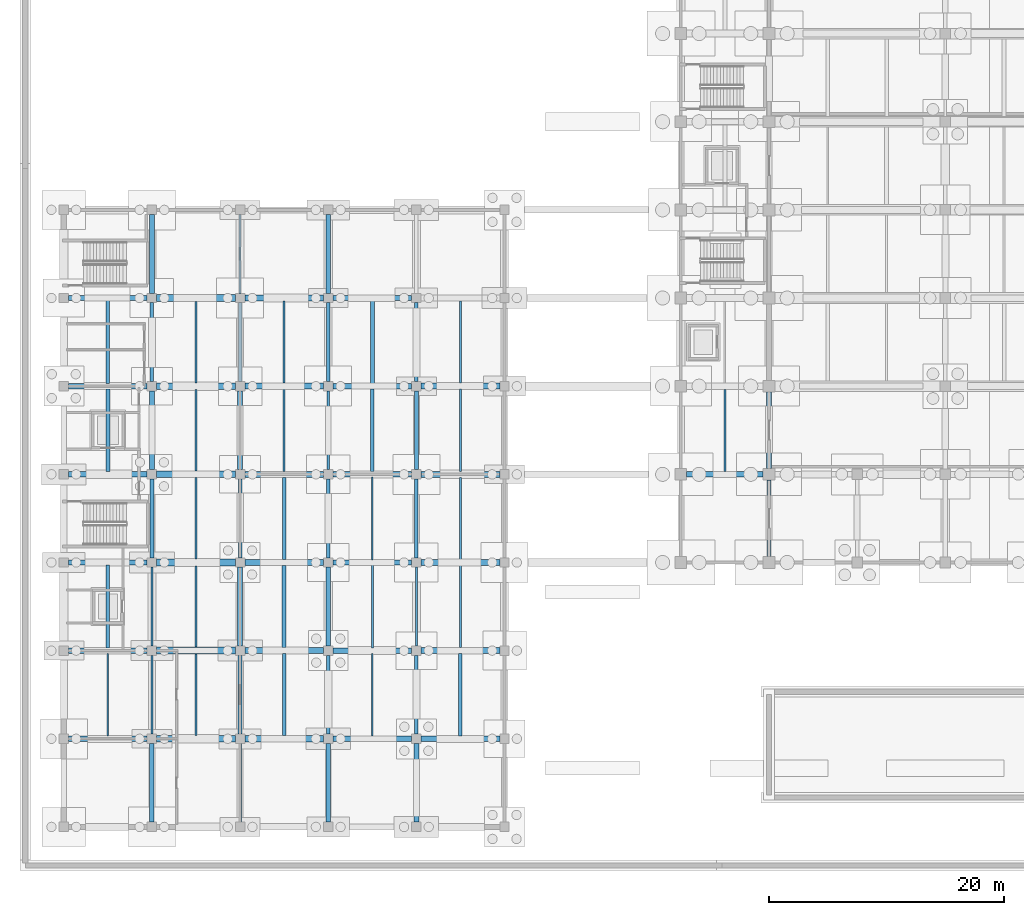
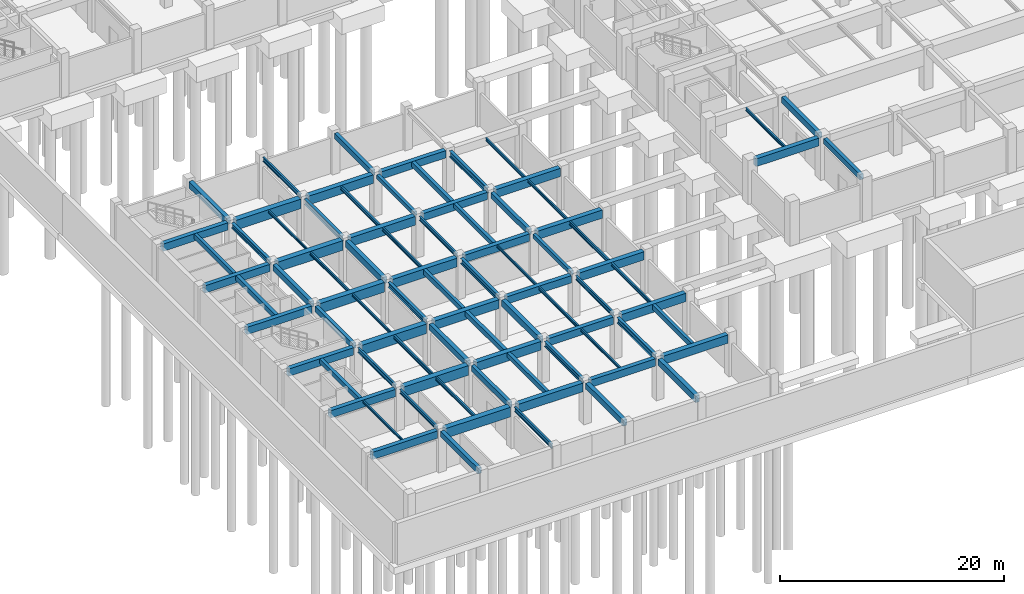
# One storey, part 15 of 38: 84 beams.
"""IFC4 building model written with IfcOpenShell, lengths in metres."""

from ifc_helpers import new_model, si_unit, direction, frame, origin, origin_2d, place, context, subcontext, project, spatial, rectangle, i_section, extrude, material, material_profile, profile_set, type_object, element, save


model = new_model("IFC4")

# Units and contexts
model_context = context("Model", 3, precision=1e-05, world=origin(), true_north=direction((0.0, 1.0)))
body_context = subcontext(model_context, "Body", "Model", "MODEL_VIEW")
ifc_project = project(units=[si_unit("LENGTHUNIT", "METRE"), si_unit("AREAUNIT", "SQUARE_METRE"), si_unit("VOLUMEUNIT", "CUBIC_METRE"), si_unit("PLANEANGLEUNIT", "RADIAN"), si_unit("MASSUNIT", "GRAM", prefix="KILO")], contexts=[model_context])

# Site, building, storey
site_placement = place(None, origin())
site = spatial("IfcSite", under=ifc_project, at=site_placement, CompositionType="ELEMENT")
building_placement = place(site_placement, origin())
building = spatial("IfcBuilding", under=site, at=building_placement, Name="Qasida Concert Hall", CompositionType="ELEMENT")
storey_placement = place(building_placement, frame((0.0, 0.0, -4.800048828125)))
storey = spatial("IfcBuildingStorey", under=building, at=storey_placement, Name="B1", CompositionType="ELEMENT", Elevation=-4.800048828125)

# Beams
ifc_material_1 = material(Name="Concrete C40/50", Category="concrete")
ifc_material_profile_1 = material_profile(ifc_material_1, rectangle(XDim=0.39990234375, YDim=0.64990234375, at=origin_2d()), Name="RC 400x650")
ifc_profile_set_1 = profile_set([ifc_material_profile_1], Name="Concrete C40/50")
beam_type_1 = type_object("IfcBeamType", Name="BM-B1", PredefinedType="BEAM", material=ifc_profile_set_1)
beam_1_placement = place(storey_placement, frame((60.0, 30.5, 4.175048828125), z_axis=(0.0, 1.0, 0.0), x_axis=(-1.0, 0.0, 0.0)))
element("IfcBeam", 1, at=beam_1_placement, inside=storey, type_object=beam_type_1, Name="B1 girder 0041", PredefinedType="BEAM", context=body_context, shape_type="SweptSolid", body=[
    extrude(rectangle(XDim=0.39990234375, YDim=0.64990234375, at=origin_2d()), origin(), (0.0, 0.0, 1.0), 6.5),
])
for number, where, z_axis, x_axis, name in (
    (2, (7.5, 30.39990234375, 4.175048828125), (0.0, 1.0, 0.0), (-1.0, 0.0, 0.0), "B1 girder 0181"),
    (3, (15.0, 15.39990234375, 4.175048828125), (0.0, 1.0, 0.0), (-1.0, 0.0, 0.0), "B1 girder 0186"),
    (4, (22.5, 0.39990234375, 4.175048828125), (0.0, 1.0, 0.0), (-1.0, 0.0, 0.0), "B1 girder 0191"),
):
    element("IfcBeam", number, at=place(storey_placement, frame(where, z_axis=z_axis, x_axis=x_axis)), inside=storey, type_object=beam_type_1, Name=name, PredefinedType="BEAM", context=body_context, shape_type="SweptSolid", body=[
        extrude(rectangle(XDim=0.39990234375, YDim=0.64990234375, at=origin_2d()), origin(), (0.0, 0.0, 1.0), 6.7001953125),
    ])
ifc_material_profile_2 = material_profile(ifc_material_1, rectangle(XDim=0.3798828125, YDim=0.6201171875, at=origin_2d()), Name="RC 380x620")
ifc_profile_set_2 = profile_set([ifc_material_profile_2], Name="Concrete C40/50")
beam_type_2 = type_object("IfcBeamType", Name="BM-B10", PredefinedType="BEAM", material=ifc_profile_set_2)
beam_2_placement = place(storey_placement, frame((7.5, 0.39990234375, 4.18994140625), z_axis=(0.0, 1.0, 0.0), x_axis=(-1.0, 0.0, 0.0)))
element("IfcBeam", 5, at=beam_2_placement, inside=storey, type_object=beam_type_2, Name="B1 girder 0177", PredefinedType="BEAM", context=body_context, shape_type="SweptSolid", body=[
    extrude(rectangle(XDim=0.3798828125, YDim=0.6201171875, at=origin_2d()), origin(), (0.0, 0.0, 1.0), 6.7001953125),
])
ifc_material_profile_3 = material_profile(ifc_material_1, rectangle(XDim=0.419921875, YDim=0.699951171875, at=origin_2d()), Name="RC 420x700")
ifc_profile_set_3 = profile_set([ifc_material_profile_3], Name="Concrete C40/50")
beam_type_3 = type_object("IfcBeamType", Name="BM-B11", PredefinedType="BEAM", material=ifc_profile_set_3)
for number, where, z_axis, x_axis, name in (
    (6, (7.5, 45.39990234375, 4.150146484375), (0.0, 1.0, 0.0), (-1.0, 0.0, 0.0), "B1 girder 0183"),
    (7, (15.0, 30.39990234375, 4.150146484375), (0.0, 1.0, 0.0), (-1.0, 0.0, 0.0), "B1 girder 0188"),
    (8, (22.5, 15.39990234375, 4.150146484375), (0.0, 1.0, 0.0), (-1.0, 0.0, 0.0), "B1 girder 0193"),
    (9, (30.0, 0.39990234375, 4.150146484375), (0.0, 1.0, 0.0), (-1.0, 0.0, 0.0), "B1 girder 0198"),
):
    element("IfcBeam", number, at=place(storey_placement, frame(where, z_axis=z_axis, x_axis=x_axis)), inside=storey, type_object=beam_type_3, Name=name, PredefinedType="BEAM", context=body_context, shape_type="SweptSolid", body=[
        extrude(rectangle(XDim=0.419921875, YDim=0.699951171875, at=origin_2d()), origin(), (0.0, 0.0, 1.0), 6.7001953125),
    ])
ifc_material_2 = material(Name="Steel S355J2", Category="steel")
ifc_material_profile_4 = material_profile(ifc_material_2, i_section(OverallWidth=0.300048828125, OverallDepth=0.550048828125, WebThickness=0.014892578125, FlangeThickness=0.029052734375, FilletRadius=0.027099609375, at=origin_2d()), Name="HEB 550")
ifc_profile_set_4 = profile_set([ifc_material_profile_4], Name="Steel S355J2")
beam_type_4 = type_object("IfcBeamType", Name="BM-B12", PredefinedType="BEAM", material=ifc_profile_set_4)
for number, where, z_axis, x_axis, name in (
    (10, (7.5, 37.89990234375, 4.22509765625), (0.0, 1.0, 0.0), (-1.0, 0.0, 0.0), "B1 girder 0182"),
    (11, (15.0, 22.89990234375, 4.22509765625), (0.0, 1.0, 0.0), (-1.0, 0.0, 0.0), "B1 girder 0187"),
    (12, (22.5, 7.89990234375, 4.22509765625), (0.0, 1.0, 0.0), (-1.0, 0.0, 0.0), "B1 girder 0192"),
):
    element("IfcBeam", number, at=place(storey_placement, frame(where, z_axis=z_axis, x_axis=x_axis)), inside=storey, type_object=beam_type_4, Name=name, PredefinedType="BEAM", context=body_context, shape_type="SweptSolid", body=[
        extrude(i_section(OverallWidth=0.300048828125, OverallDepth=0.550048828125, WebThickness=0.014892578125, FlangeThickness=0.029052734375, FilletRadius=0.027099609375, at=origin_2d()), origin(), (0.0, 0.0, 1.0), 6.7001953125),
    ])
ifc_material_profile_5 = material_profile(ifc_material_2, i_section(OverallWidth=0.300048828125, OverallDepth=0.64990234375, WebThickness=0.01611328125, FlangeThickness=0.031005859375, FilletRadius=0.027099609375, at=origin_2d()), Name="HEB 650")
ifc_profile_set_5 = profile_set([ifc_material_profile_5], Name="Steel S355J2")
beam_type_5 = type_object("IfcBeamType", Name="BM-B13", PredefinedType="BEAM", material=ifc_profile_set_5)
beam_3_placement = place(storey_placement, frame((30.0, 37.89990234375, 4.175048828125), z_axis=(0.0, 1.0, 0.0), x_axis=(-1.0, 0.0, 0.0)))
element("IfcBeam", 13, at=beam_3_placement, inside=storey, type_object=beam_type_5, Name="B1 girder 0203", PredefinedType="BEAM", context=body_context, shape_type="SweptSolid", body=[
    extrude(i_section(OverallWidth=0.300048828125, OverallDepth=0.64990234375, WebThickness=0.01611328125, FlangeThickness=0.031005859375, FilletRadius=0.027099609375, at=origin_2d()), origin(), (0.0, 0.0, 1.0), 6.7001953125),
])
ifc_material_profile_6 = material_profile(ifc_material_1, rectangle(XDim=0.35009765625, YDim=0.60009765625, at=origin_2d()), Name="RC 350x600")
ifc_profile_set_6 = profile_set([ifc_material_profile_6], Name="Concrete C40/50")
beam_type_6 = type_object("IfcBeamType", Name="BM-B2", PredefinedType="BEAM", material=ifc_profile_set_6)
beam_4_placement = place(storey_placement, frame((60.0, 23.0, 4.199951171875), z_axis=(0.0, 1.0, 0.0), x_axis=(-1.0, 0.0, 0.0)))
element("IfcBeam", 14, at=beam_4_placement, inside=storey, type_object=beam_type_6, Name="B1 girder 0040", PredefinedType="BEAM", context=body_context, shape_type="SweptSolid", body=[
    extrude(rectangle(XDim=0.35009765625, YDim=0.60009765625, at=origin_2d()), origin(), (0.0, 0.0, 1.0), 6.5),
])
for number, where, z_axis, x_axis, name in (
    (15, (7.5, 22.89990234375, 4.199951171875), (0.0, 1.0, 0.0), (-1.0, 0.0, 0.0), "B1 girder 0180"),
    (16, (15.0, 7.89990234375, 4.199951171875), (0.0, 1.0, 0.0), (-1.0, 0.0, 0.0), "B1 girder 0185"),
    (17, (22.5, 45.39990234375, 4.199951171875), (0.0, 1.0, 0.0), (-1.0, 0.0, 0.0), "B1 girder 0197"),
    (18, (30.0, 30.39990234375, 4.199951171875), (0.0, 1.0, 0.0), (-1.0, 0.0, 0.0), "B1 girder 0202"),
):
    element("IfcBeam", number, at=place(storey_placement, frame(where, z_axis=z_axis, x_axis=x_axis)), inside=storey, type_object=beam_type_6, Name=name, PredefinedType="BEAM", context=body_context, shape_type="SweptSolid", body=[
        extrude(rectangle(XDim=0.35009765625, YDim=0.60009765625, at=origin_2d()), origin(), (0.0, 0.0, 1.0), 6.7001953125),
    ])
ifc_material_profile_7 = material_profile(ifc_material_1, rectangle(XDim=0.300048828125, YDim=0.449951171875, at=origin_2d()), Name="RC 300x450")
ifc_profile_set_7 = profile_set([ifc_material_profile_7], Name="Concrete C40/50")
beam_type_7 = type_object("IfcBeamType", Name="BM-B3", PredefinedType="BEAM", material=ifc_profile_set_7)
for number, where, z_axis, x_axis, name in (
    (19, (22.5, 37.89990234375, 4.275146484375), (0.0, 1.0, 0.0), (-1.0, 0.0, 0.0), "B1 girder 0196"),
    (20, (30.0, 22.89990234375, 4.275146484375), (0.0, 1.0, 0.0), (-1.0, 0.0, 0.0), "B1 girder 0201"),
):
    element("IfcBeam", number, at=place(storey_placement, frame(where, z_axis=z_axis, x_axis=x_axis)), inside=storey, type_object=beam_type_7, Name=name, PredefinedType="BEAM", context=body_context, shape_type="SweptSolid", body=[
        extrude(rectangle(XDim=0.300048828125, YDim=0.449951171875, at=origin_2d()), origin(), (0.0, 0.0, 1.0), 6.7001953125),
    ])
ifc_material_profile_8 = material_profile(ifc_material_2, i_section(OverallWidth=0.199951171875, OverallDepth=0.5, WebThickness=0.01025390625, FlangeThickness=0.01611328125, FilletRadius=0.02099609375, at=origin_2d()), Name="IPE 500")
ifc_profile_set_8 = profile_set([ifc_material_profile_8], Name="Steel S355J2")
beam_type_8 = type_object("IfcBeamType", Name="BM-B4", PredefinedType="BEAM", material=ifc_profile_set_8)
for number, where, z_axis, x_axis, name in (
    (21, (7.5, 15.39990234375, 4.25), (0.0, 1.0, 0.0), (-1.0, 0.0, 0.0), "B1 girder 0179"),
    (22, (15.0, 0.39990234375, 4.25), (0.0, 1.0, 0.0), (-1.0, 0.0, 0.0), "B1 girder 0184"),
):
    element("IfcBeam", number, at=place(storey_placement, frame(where, z_axis=z_axis, x_axis=x_axis)), inside=storey, type_object=beam_type_8, Name=name, PredefinedType="BEAM", context=body_context, shape_type="SweptSolid", body=[
        extrude(i_section(OverallWidth=0.199951171875, OverallDepth=0.5, WebThickness=0.01025390625, FlangeThickness=0.01611328125, FilletRadius=0.02099609375, at=origin_2d()), origin(), (0.0, 0.0, 1.0), 6.7001953125),
    ])
ifc_material_profile_9 = material_profile(ifc_material_2, i_section(OverallWidth=0.18994140625, OverallDepth=0.449951171875, WebThickness=0.009521484375, FlangeThickness=0.0146484375, FilletRadius=0.02099609375, at=origin_2d()), Name="IPE 450")
ifc_profile_set_9 = profile_set([ifc_material_profile_9], Name="Steel S355J2")
beam_type_9 = type_object("IfcBeamType", Name="BM-B5", PredefinedType="BEAM", material=ifc_profile_set_9)
for number, where, z_axis, x_axis, name in (
    (23, (7.5, 7.89990234375, 4.275146484375), (0.0, 1.0, 0.0), (-1.0, 0.0, 0.0), "B1 girder 0178"),
    (24, (15.0, 45.39990234375, 4.275146484375), (0.0, 1.0, 0.0), (-1.0, 0.0, 0.0), "B1 girder 0190"),
    (25, (22.5, 30.39990234375, 4.275146484375), (0.0, 1.0, 0.0), (-1.0, 0.0, 0.0), "B1 girder 0195"),
    (26, (30.0, 15.39990234375, 4.275146484375), (0.0, 1.0, 0.0), (-1.0, 0.0, 0.0), "B1 girder 0200"),
):
    element("IfcBeam", number, at=place(storey_placement, frame(where, z_axis=z_axis, x_axis=x_axis)), inside=storey, type_object=beam_type_9, Name=name, PredefinedType="BEAM", context=body_context, shape_type="SweptSolid", body=[
        extrude(i_section(OverallWidth=0.18994140625, OverallDepth=0.449951171875, WebThickness=0.009521484375, FlangeThickness=0.0146484375, FilletRadius=0.02099609375, at=origin_2d()), origin(), (0.0, 0.0, 1.0), 6.7001953125),
    ])
ifc_material_profile_10 = material_profile(ifc_material_2, i_section(OverallWidth=0.300048828125, OverallDepth=0.60009765625, WebThickness=0.015380859375, FlangeThickness=0.030029296875, FilletRadius=0.027099609375, at=origin_2d()), Name="HEB 600")
ifc_profile_set_10 = profile_set([ifc_material_profile_10], Name="Steel S355J2")
beam_type_10 = type_object("IfcBeamType", Name="BM-B6", PredefinedType="BEAM", material=ifc_profile_set_10)
for number, where, z_axis, x_axis, name in (
    (27, (15.0, 37.89990234375, 4.199951171875), (0.0, 1.0, 0.0), (-1.0, 0.0, 0.0), "B1 girder 0189"),
    (28, (22.5, 22.89990234375, 4.199951171875), (0.0, 1.0, 0.0), (-1.0, 0.0, 0.0), "B1 girder 0194"),
    (29, (30.0, 7.89990234375, 4.199951171875), (0.0, 1.0, 0.0), (-1.0, 0.0, 0.0), "B1 girder 0199"),
):
    element("IfcBeam", number, at=place(storey_placement, frame(where, z_axis=z_axis, x_axis=x_axis)), inside=storey, type_object=beam_type_10, Name=name, PredefinedType="BEAM", context=body_context, shape_type="SweptSolid", body=[
        extrude(i_section(OverallWidth=0.300048828125, OverallDepth=0.60009765625, WebThickness=0.015380859375, FlangeThickness=0.030029296875, FilletRadius=0.027099609375, at=origin_2d()), origin(), (0.0, 0.0, 1.0), 6.7001953125),
    ])
ifc_material_profile_11 = material_profile(ifc_material_1, rectangle(XDim=0.5, YDim=0.89990234375, at=origin_2d()), Name="RC 500x900")
ifc_profile_set_11 = profile_set([ifc_material_profile_11], Name="Concrete C40/50")
beam_type_11 = type_object("IfcBeamType", Name="BM-G1", PredefinedType="USERDEFINED", material=ifc_profile_set_11)
for number, where, z_axis, x_axis, name in (
    (30, (30.39990234375, 7.5, 4.050048828125), (1.0, 0.0, 0.0), (0.0, 1.0, 0.0), "Primary girder 0151"),
    (31, (30.39990234375, 15.0, 4.050048828125), (1.0, 0.0, 0.0), (0.0, 1.0, 0.0), "Primary girder 0156"),
    (32, (30.39990234375, 22.5, 4.050048828125), (1.0, 0.0, 0.0), (0.0, 1.0, 0.0), "Primary girder 0161"),
    (33, (30.39990234375, 30.0, 4.050048828125), (1.0, 0.0, 0.0), (0.0, 1.0, 0.0), "Primary girder 0166"),
    (34, (30.39990234375, 37.5, 4.050048828125), (1.0, 0.0, 0.0), (0.0, 1.0, 0.0), "Primary girder 0171"),
):
    element("IfcBeam", number, at=place(storey_placement, frame(where, z_axis=z_axis, x_axis=x_axis)), inside=storey, type_object=beam_type_11, Name=name, ObjectType="GIRDER", PredefinedType="USERDEFINED", context=body_context, shape_type="SweptSolid", body=[
        extrude(rectangle(XDim=0.5, YDim=0.89990234375, at=origin_2d()), origin(), (0.0, 0.0, 1.0), 6.7001953125),
    ])
ifc_material_profile_12 = material_profile(ifc_material_1, rectangle(XDim=0.449951171875, YDim=0.800048828125, at=origin_2d()), Name="RC 450x800")
ifc_profile_set_12 = profile_set([ifc_material_profile_12], Name="Concrete C40/50")
beam_type_12 = type_object("IfcBeamType", Name="BM-G2", PredefinedType="USERDEFINED", material=ifc_profile_set_12)
for number, where, z_axis, x_axis, name in (
    (35, (0.39990234375, 7.5, 4.10009765625), (1.0, 0.0, 0.0), (0.0, 1.0, 0.0), "Primary girder 0147"),
    (36, (22.89990234375, 7.5, 4.10009765625), (1.0, 0.0, 0.0), (0.0, 1.0, 0.0), "Primary girder 0150"),
    (37, (0.39990234375, 15.0, 4.10009765625), (1.0, 0.0, 0.0), (0.0, 1.0, 0.0), "Primary girder 0152"),
    (38, (22.89990234375, 15.0, 4.10009765625), (1.0, 0.0, 0.0), (0.0, 1.0, 0.0), "Primary girder 0155"),
    (39, (0.39990234375, 22.5, 4.10009765625), (1.0, 0.0, 0.0), (0.0, 1.0, 0.0), "Primary girder 0157"),
    (40, (22.89990234375, 22.5, 4.10009765625), (1.0, 0.0, 0.0), (0.0, 1.0, 0.0), "Primary girder 0160"),
    (41, (0.39990234375, 30.0, 4.10009765625), (1.0, 0.0, 0.0), (0.0, 1.0, 0.0), "Primary girder 0162"),
    (42, (22.89990234375, 30.0, 4.10009765625), (1.0, 0.0, 0.0), (0.0, 1.0, 0.0), "Primary girder 0165"),
    (43, (0.39990234375, 37.5, 4.10009765625), (1.0, 0.0, 0.0), (0.0, 1.0, 0.0), "Primary girder 0167"),
    (44, (22.89990234375, 37.5, 4.10009765625), (1.0, 0.0, 0.0), (0.0, 1.0, 0.0), "Primary girder 0170"),
    (45, (0.39990234375, 45.0, 4.10009765625), (1.0, 0.0, 0.0), (0.0, 1.0, 0.0), "Primary girder 0172"),
    (46, (22.89990234375, 45.0, 4.10009765625), (1.0, 0.0, 0.0), (0.0, 1.0, 0.0), "Primary girder 0175"),
):
    element("IfcBeam", number, at=place(storey_placement, frame(where, z_axis=z_axis, x_axis=x_axis)), inside=storey, type_object=beam_type_12, Name=name, ObjectType="GIRDER", PredefinedType="USERDEFINED", context=body_context, shape_type="SweptSolid", body=[
        extrude(rectangle(XDim=0.449951171875, YDim=0.800048828125, at=origin_2d()), origin(), (0.0, 0.0, 1.0), 6.7001953125),
    ])
ifc_material_profile_13 = material_profile(ifc_material_1, rectangle(XDim=0.47998046875, YDim=0.85009765625, at=origin_2d()), Name="RC 480x850")
ifc_profile_set_13 = profile_set([ifc_material_profile_13], Name="Concrete C40/50")
beam_type_13 = type_object("IfcBeamType", Name="BM-G6", PredefinedType="USERDEFINED", material=ifc_profile_set_13)
beam_5_placement = place(storey_placement, frame((53.0, 30.0, 4.074951171875), z_axis=(1.0, 0.0, 0.0), x_axis=(0.0, 1.0, 0.0)))
element("IfcBeam", 47, at=beam_5_placement, inside=storey, type_object=beam_type_13, Name="Primary girder 0001", ObjectType="GIRDER", PredefinedType="USERDEFINED", context=body_context, shape_type="SweptSolid", body=[
    extrude(rectangle(XDim=0.47998046875, YDim=0.85009765625, at=origin_2d()), origin(), (0.0, 0.0, 1.0), 6.5),
])
ifc_material_profile_14 = material_profile(ifc_material_1, rectangle(XDim=0.52001953125, YDim=0.949951171875, at=origin_2d()), Name="RC 520x950")
ifc_profile_set_14 = profile_set([ifc_material_profile_14], Name="Concrete C40/50")
beam_type_14 = type_object("IfcBeamType", Name="BM-G7", PredefinedType="USERDEFINED", material=ifc_profile_set_14)
for number, where, z_axis, x_axis, name in (
    (48, (15.39990234375, 7.5, 4.025146484375), (1.0, 0.0, 0.0), (0.0, 1.0, 0.0), "Primary girder 0149"),
    (49, (15.39990234375, 15.0, 4.025146484375), (1.0, 0.0, 0.0), (0.0, 1.0, 0.0), "Primary girder 0154"),
    (50, (15.39990234375, 22.5, 4.025146484375), (1.0, 0.0, 0.0), (0.0, 1.0, 0.0), "Primary girder 0159"),
    (51, (15.39990234375, 30.0, 4.025146484375), (1.0, 0.0, 0.0), (0.0, 1.0, 0.0), "Primary girder 0164"),
    (52, (15.39990234375, 37.5, 4.025146484375), (1.0, 0.0, 0.0), (0.0, 1.0, 0.0), "Primary girder 0169"),
    (53, (15.39990234375, 45.0, 4.025146484375), (1.0, 0.0, 0.0), (0.0, 1.0, 0.0), "Primary girder 0174"),
):
    element("IfcBeam", number, at=place(storey_placement, frame(where, z_axis=z_axis, x_axis=x_axis)), inside=storey, type_object=beam_type_14, Name=name, ObjectType="GIRDER", PredefinedType="USERDEFINED", context=body_context, shape_type="SweptSolid", body=[
        extrude(rectangle(XDim=0.52001953125, YDim=0.949951171875, at=origin_2d()), origin(), (0.0, 0.0, 1.0), 6.7001953125),
    ])
ifc_material_3 = material(Name="Concrete C50/60", Category="concrete")
ifc_material_profile_15 = material_profile(ifc_material_3, rectangle(XDim=0.580078125, YDim=1.050048828125, at=origin_2d()), Name="RC 580x1050")
ifc_profile_set_15 = profile_set([ifc_material_profile_15], Name="Concrete C50/60")
beam_type_15 = type_object("IfcBeamType", Name="BM-G8", PredefinedType="USERDEFINED", material=ifc_profile_set_15)
for number, where, z_axis, x_axis, name in (
    (54, (7.89990234375, 7.5, 3.97509765625), (1.0, 0.0, 0.0), (0.0, 1.0, 0.0), "Primary girder 0148"),
    (55, (7.89990234375, 15.0, 3.97509765625), (1.0, 0.0, 0.0), (0.0, 1.0, 0.0), "Primary girder 0153"),
    (56, (7.89990234375, 22.5, 3.97509765625), (1.0, 0.0, 0.0), (0.0, 1.0, 0.0), "Primary girder 0158"),
    (57, (7.89990234375, 30.0, 3.97509765625), (1.0, 0.0, 0.0), (0.0, 1.0, 0.0), "Primary girder 0163"),
    (58, (7.89990234375, 37.5, 3.97509765625), (1.0, 0.0, 0.0), (0.0, 1.0, 0.0), "Primary girder 0168"),
    (59, (7.89990234375, 45.0, 3.97509765625), (1.0, 0.0, 0.0), (0.0, 1.0, 0.0), "Primary girder 0173"),
):
    element("IfcBeam", number, at=place(storey_placement, frame(where, z_axis=z_axis, x_axis=x_axis)), inside=storey, type_object=beam_type_15, Name=name, ObjectType="GIRDER", PredefinedType="USERDEFINED", context=body_context, shape_type="SweptSolid", body=[
        extrude(rectangle(XDim=0.580078125, YDim=1.050048828125, at=origin_2d()), origin(), (0.0, 0.0, 1.0), 6.7001953125),
    ])
ifc_material_profile_16 = material_profile(ifc_material_1, rectangle(XDim=0.300048828125, YDim=0.550048828125, at=origin_2d()), Name="RC 300x550")
ifc_profile_set_16 = profile_set([ifc_material_profile_16], Name="Concrete C40/50")
beam_type_16 = type_object("IfcBeamType", Name="BM-J1", PredefinedType="JOIST", material=ifc_profile_set_16)
beam_6_placement = place(storey_placement, frame((3.75, 37.72509765625, 4.22509765625), z_axis=(0.0, 1.0, 0.0), x_axis=(-1.0, 0.0, 0.0)))
element("IfcBeam", 60, at=beam_6_placement, inside=storey, type_object=beam_type_16, Name="B1 secondary joist 0208", PredefinedType="JOIST", context=body_context, shape_type="SweptSolid", body=[
    extrude(rectangle(XDim=0.300048828125, YDim=0.550048828125, at=origin_2d()), origin(), (0.0, 0.0, 1.0), 7.0498046875),
])
beam_7_placement = place(storey_placement, frame((18.75, 22.760009765625, 4.22509765625), z_axis=(0.0, 1.0, 0.0), x_axis=(-1.0, 0.0, 0.0)))
element("IfcBeam", 61, at=beam_7_placement, inside=storey, type_object=beam_type_16, Name="B1 secondary joist 0216", PredefinedType="JOIST", context=body_context, shape_type="SweptSolid", body=[
    extrude(rectangle(XDim=0.300048828125, YDim=0.550048828125, at=origin_2d()), origin(), (0.0, 0.0, 1.0), 6.97998046875),
])
beam_8_placement = place(storey_placement, frame((33.75, 7.75, 4.22509765625), z_axis=(0.0, 1.0, 0.0), x_axis=(-1.0, 0.0, 0.0)))
element("IfcBeam", 62, at=beam_8_placement, inside=storey, type_object=beam_type_16, Name="B1 secondary joist 0224", PredefinedType="JOIST", context=body_context, shape_type="SweptSolid", body=[
    extrude(rectangle(XDim=0.300048828125, YDim=0.550048828125, at=origin_2d()), origin(), (0.0, 0.0, 1.0), 7.0),
])
ifc_material_profile_17 = material_profile(ifc_material_2, i_section(OverallWidth=0.169921875, OverallDepth=0.360107421875, WebThickness=0.008056640625, FlangeThickness=0.0126953125, FilletRadius=0.01806640625, at=origin_2d()), Name="IPE 360")
ifc_profile_set_17 = profile_set([ifc_material_profile_17], Name="Steel S355J2")
beam_type_17 = type_object("IfcBeamType", Name="BM-J2", PredefinedType="JOIST", material=ifc_profile_set_17)
beam_9_placement = place(storey_placement, frame((11.25, 7.7900390625, 4.320068359375), z_axis=(0.0, 1.0, 0.0), x_axis=(-1.0, 0.0, 0.0)))
element("IfcBeam", 63, at=beam_9_placement, inside=storey, type_object=beam_type_17, Name="B1 secondary joist 0209", PredefinedType="JOIST", context=body_context, shape_type="SweptSolid", body=[
    extrude(i_section(OverallWidth=0.169921875, OverallDepth=0.360107421875, WebThickness=0.008056640625, FlangeThickness=0.0126953125, FilletRadius=0.01806640625, at=origin_2d()), origin(), (0.0, 0.0, 1.0), 6.919921875),
])
beam_10_placement = place(storey_placement, frame((18.75, 30.260009765625, 4.320068359375), z_axis=(0.0, 1.0, 0.0), x_axis=(-1.0, 0.0, 0.0)))
element("IfcBeam", 64, at=beam_10_placement, inside=storey, type_object=beam_type_17, Name="B1 secondary joist 0217", PredefinedType="JOIST", context=body_context, shape_type="SweptSolid", body=[
    extrude(i_section(OverallWidth=0.169921875, OverallDepth=0.360107421875, WebThickness=0.008056640625, FlangeThickness=0.0126953125, FilletRadius=0.01806640625, at=origin_2d()), origin(), (0.0, 0.0, 1.0), 6.97998046875),
])
beam_11_placement = place(storey_placement, frame((33.75, 15.25, 4.320068359375), z_axis=(0.0, 1.0, 0.0), x_axis=(-1.0, 0.0, 0.0)))
element("IfcBeam", 65, at=beam_11_placement, inside=storey, type_object=beam_type_17, Name="B1 secondary joist 0225", PredefinedType="JOIST", context=body_context, shape_type="SweptSolid", body=[
    extrude(i_section(OverallWidth=0.169921875, OverallDepth=0.360107421875, WebThickness=0.008056640625, FlangeThickness=0.0126953125, FilletRadius=0.01806640625, at=origin_2d()), origin(), (0.0, 0.0, 1.0), 7.0),
])
ifc_material_profile_18 = material_profile(ifc_material_2, i_section(OverallWidth=0.179931640625, OverallDepth=0.39990234375, WebThickness=0.008544921875, FlangeThickness=0.013427734375, FilletRadius=0.02099609375, at=origin_2d()), Name="IPE 400")
ifc_profile_set_18 = profile_set([ifc_material_profile_18], Name="Steel S355J2")
beam_type_18 = type_object("IfcBeamType", Name="BM-J3", PredefinedType="JOIST", material=ifc_profile_set_18)
beam_12_placement = place(storey_placement, frame((11.25, 15.2900390625, 4.300048828125), z_axis=(0.0, 1.0, 0.0), x_axis=(-1.0, 0.0, 0.0)))
element("IfcBeam", 66, at=beam_12_placement, inside=storey, type_object=beam_type_18, Name="B1 secondary joist 0210", PredefinedType="JOIST", context=body_context, shape_type="SweptSolid", body=[
    extrude(i_section(OverallWidth=0.179931640625, OverallDepth=0.39990234375, WebThickness=0.008544921875, FlangeThickness=0.013427734375, FilletRadius=0.02099609375, at=origin_2d()), origin(), (0.0, 0.0, 1.0), 6.919921875),
])
beam_13_placement = place(storey_placement, frame((18.75, 37.760009765625, 4.300048828125), z_axis=(0.0, 1.0, 0.0), x_axis=(-1.0, 0.0, 0.0)))
element("IfcBeam", 67, at=beam_13_placement, inside=storey, type_object=beam_type_18, Name="B1 secondary joist 0218", PredefinedType="JOIST", context=body_context, shape_type="SweptSolid", body=[
    extrude(i_section(OverallWidth=0.179931640625, OverallDepth=0.39990234375, WebThickness=0.008544921875, FlangeThickness=0.013427734375, FilletRadius=0.02099609375, at=origin_2d()), origin(), (0.0, 0.0, 1.0), 6.97998046875),
])
beam_14_placement = place(storey_placement, frame((33.75, 22.75, 4.300048828125), z_axis=(0.0, 1.0, 0.0), x_axis=(-1.0, 0.0, 0.0)))
element("IfcBeam", 68, at=beam_14_placement, inside=storey, type_object=beam_type_18, Name="B1 secondary joist 0226", PredefinedType="JOIST", context=body_context, shape_type="SweptSolid", body=[
    extrude(i_section(OverallWidth=0.179931640625, OverallDepth=0.39990234375, WebThickness=0.008544921875, FlangeThickness=0.013427734375, FilletRadius=0.02099609375, at=origin_2d()), origin(), (0.0, 0.0, 1.0), 7.0),
])
ifc_material_profile_19 = material_profile(ifc_material_2, i_section(OverallWidth=0.14990234375, OverallDepth=0.300048828125, WebThickness=0.007080078125, FlangeThickness=0.0107421875, FilletRadius=0.014892578125, at=origin_2d()), Name="IPE 300")
ifc_profile_set_19 = profile_set([ifc_material_profile_19], Name="Steel S355J2")
beam_type_19 = type_object("IfcBeamType", Name="BM-J4", PredefinedType="JOIST", material=ifc_profile_set_19)
beam_15_placement = place(storey_placement, frame((11.25, 22.7900390625, 4.35009765625), z_axis=(0.0, 1.0, 0.0), x_axis=(-1.0, 0.0, 0.0)))
element("IfcBeam", 69, at=beam_15_placement, inside=storey, type_object=beam_type_19, Name="B1 secondary joist 0211", PredefinedType="JOIST", context=body_context, shape_type="SweptSolid", body=[
    extrude(i_section(OverallWidth=0.14990234375, OverallDepth=0.300048828125, WebThickness=0.007080078125, FlangeThickness=0.0107421875, FilletRadius=0.014892578125, at=origin_2d()), origin(), (0.0, 0.0, 1.0), 6.919921875),
])
beam_16_placement = place(storey_placement, frame((26.25, 7.72509765625, 4.35009765625), z_axis=(0.0, 1.0, 0.0), x_axis=(-1.0, 0.0, 0.0)))
element("IfcBeam", 70, at=beam_16_placement, inside=storey, type_object=beam_type_19, Name="B1 secondary joist 0219", PredefinedType="JOIST", context=body_context, shape_type="SweptSolid", body=[
    extrude(i_section(OverallWidth=0.14990234375, OverallDepth=0.300048828125, WebThickness=0.007080078125, FlangeThickness=0.0107421875, FilletRadius=0.014892578125, at=origin_2d()), origin(), (0.0, 0.0, 1.0), 7.0498046875),
])
beam_17_placement = place(storey_placement, frame((33.75, 30.25, 4.35009765625), z_axis=(0.0, 1.0, 0.0), x_axis=(-1.0, 0.0, 0.0)))
element("IfcBeam", 71, at=beam_17_placement, inside=storey, type_object=beam_type_19, Name="B1 secondary joist 0227", PredefinedType="JOIST", context=body_context, shape_type="SweptSolid", body=[
    extrude(i_section(OverallWidth=0.14990234375, OverallDepth=0.300048828125, WebThickness=0.007080078125, FlangeThickness=0.0107421875, FilletRadius=0.014892578125, at=origin_2d()), origin(), (0.0, 0.0, 1.0), 7.0),
])
ifc_material_profile_20 = material_profile(ifc_material_2, i_section(OverallWidth=0.159912109375, OverallDepth=0.330078125, WebThickness=0.007568359375, FlangeThickness=0.011474609375, FilletRadius=0.01806640625, at=origin_2d()), Name="IPE 330")
ifc_profile_set_20 = profile_set([ifc_material_profile_20], Name="Steel S355J2")
beam_type_20 = type_object("IfcBeamType", Name="BM-J5", PredefinedType="JOIST", material=ifc_profile_set_20)
beam_18_placement = place(storey_placement, frame((56.25, 30.239990234375, 4.3349609375), z_axis=(0.0, 1.0, 0.0), x_axis=(-1.0, 0.0, 0.0)))
element("IfcBeam", 72, at=beam_18_placement, inside=storey, type_object=beam_type_20, Name="B1 secondary joist 0076", PredefinedType="JOIST", context=body_context, shape_type="SweptSolid", body=[
    extrude(i_section(OverallWidth=0.159912109375, OverallDepth=0.330078125, WebThickness=0.007568359375, FlangeThickness=0.011474609375, FilletRadius=0.01806640625, at=origin_2d()), origin(), (0.0, 0.0, 1.0), 6.969970703125),
])
beam_19_placement = place(storey_placement, frame((11.25, 30.2900390625, 4.3349609375), z_axis=(0.0, 1.0, 0.0), x_axis=(-1.0, 0.0, 0.0)))
element("IfcBeam", 73, at=beam_19_placement, inside=storey, type_object=beam_type_20, Name="B1 secondary joist 0212", PredefinedType="JOIST", context=body_context, shape_type="SweptSolid", body=[
    extrude(i_section(OverallWidth=0.159912109375, OverallDepth=0.330078125, WebThickness=0.007568359375, FlangeThickness=0.011474609375, FilletRadius=0.01806640625, at=origin_2d()), origin(), (0.0, 0.0, 1.0), 6.919921875),
])
beam_20_placement = place(storey_placement, frame((26.25, 15.22509765625, 4.3349609375), z_axis=(0.0, 1.0, 0.0), x_axis=(-1.0, 0.0, 0.0)))
element("IfcBeam", 74, at=beam_20_placement, inside=storey, type_object=beam_type_20, Name="B1 secondary joist 0220", PredefinedType="JOIST", context=body_context, shape_type="SweptSolid", body=[
    extrude(i_section(OverallWidth=0.159912109375, OverallDepth=0.330078125, WebThickness=0.007568359375, FlangeThickness=0.011474609375, FilletRadius=0.01806640625, at=origin_2d()), origin(), (0.0, 0.0, 1.0), 7.0498046875),
])
beam_21_placement = place(storey_placement, frame((33.75, 37.75, 4.3349609375), z_axis=(0.0, 1.0, 0.0), x_axis=(-1.0, 0.0, 0.0)))
element("IfcBeam", 75, at=beam_21_placement, inside=storey, type_object=beam_type_20, Name="B1 secondary joist 0228", PredefinedType="JOIST", context=body_context, shape_type="SweptSolid", body=[
    extrude(i_section(OverallWidth=0.159912109375, OverallDepth=0.330078125, WebThickness=0.007568359375, FlangeThickness=0.011474609375, FilletRadius=0.01806640625, at=origin_2d()), origin(), (0.0, 0.0, 1.0), 7.0),
])
ifc_material_profile_21 = material_profile(ifc_material_2, i_section(OverallWidth=0.135009765625, OverallDepth=0.27001953125, WebThickness=0.006591796875, FlangeThickness=0.01025390625, FilletRadius=0.014892578125, at=origin_2d()), Name="IPE 270")
ifc_profile_set_21 = profile_set([ifc_material_profile_21], Name="Steel S355J2")
beam_type_21 = type_object("IfcBeamType", Name="BM-J6", PredefinedType="JOIST", material=ifc_profile_set_21)
beam_22_placement = place(storey_placement, frame((3.75, 7.72509765625, 4.364990234375), z_axis=(0.0, 1.0, 0.0), x_axis=(-1.0, 0.0, 0.0)))
element("IfcBeam", 76, at=beam_22_placement, inside=storey, type_object=beam_type_21, Name="B1 secondary joist 0205", PredefinedType="JOIST", context=body_context, shape_type="SweptSolid", body=[
    extrude(i_section(OverallWidth=0.135009765625, OverallDepth=0.27001953125, WebThickness=0.006591796875, FlangeThickness=0.01025390625, FilletRadius=0.014892578125, at=origin_2d()), origin(), (0.0, 0.0, 1.0), 7.0498046875),
])
beam_23_placement = place(storey_placement, frame((11.25, 37.7900390625, 4.364990234375), z_axis=(0.0, 1.0, 0.0), x_axis=(-1.0, 0.0, 0.0)))
element("IfcBeam", 77, at=beam_23_placement, inside=storey, type_object=beam_type_21, Name="B1 secondary joist 0213", PredefinedType="JOIST", context=body_context, shape_type="SweptSolid", body=[
    extrude(i_section(OverallWidth=0.135009765625, OverallDepth=0.27001953125, WebThickness=0.006591796875, FlangeThickness=0.01025390625, FilletRadius=0.014892578125, at=origin_2d()), origin(), (0.0, 0.0, 1.0), 6.919921875),
])
beam_24_placement = place(storey_placement, frame((26.25, 22.72509765625, 4.364990234375), z_axis=(0.0, 1.0, 0.0), x_axis=(-1.0, 0.0, 0.0)))
element("IfcBeam", 78, at=beam_24_placement, inside=storey, type_object=beam_type_21, Name="B1 secondary joist 0221", PredefinedType="JOIST", context=body_context, shape_type="SweptSolid", body=[
    extrude(i_section(OverallWidth=0.135009765625, OverallDepth=0.27001953125, WebThickness=0.006591796875, FlangeThickness=0.01025390625, FilletRadius=0.014892578125, at=origin_2d()), origin(), (0.0, 0.0, 1.0), 7.0498046875),
])
ifc_material_profile_22 = material_profile(ifc_material_1, rectangle(XDim=0.320068359375, YDim=0.5, at=origin_2d()), Name="RC 320x500")
ifc_profile_set_22 = profile_set([ifc_material_profile_22], Name="Concrete C40/50")
beam_type_22 = type_object("IfcBeamType", Name="BM-J7", PredefinedType="JOIST", material=ifc_profile_set_22)
beam_25_placement = place(storey_placement, frame((3.75, 15.22509765625, 4.25), z_axis=(0.0, 1.0, 0.0), x_axis=(-1.0, 0.0, 0.0)))
element("IfcBeam", 79, at=beam_25_placement, inside=storey, type_object=beam_type_22, Name="B1 secondary joist 0206", PredefinedType="JOIST", context=body_context, shape_type="SweptSolid", body=[
    extrude(rectangle(XDim=0.320068359375, YDim=0.5, at=origin_2d()), origin(), (0.0, 0.0, 1.0), 7.0498046875),
])
beam_26_placement = place(storey_placement, frame((18.75, 7.760009765625, 4.25), z_axis=(0.0, 1.0, 0.0), x_axis=(-1.0, 0.0, 0.0)))
element("IfcBeam", 80, at=beam_26_placement, inside=storey, type_object=beam_type_22, Name="B1 secondary joist 0214", PredefinedType="JOIST", context=body_context, shape_type="SweptSolid", body=[
    extrude(rectangle(XDim=0.320068359375, YDim=0.5, at=origin_2d()), origin(), (0.0, 0.0, 1.0), 6.97998046875),
])
beam_27_placement = place(storey_placement, frame((26.25, 30.22509765625, 4.25), z_axis=(0.0, 1.0, 0.0), x_axis=(-1.0, 0.0, 0.0)))
element("IfcBeam", 81, at=beam_27_placement, inside=storey, type_object=beam_type_22, Name="B1 secondary joist 0222", PredefinedType="JOIST", context=body_context, shape_type="SweptSolid", body=[
    extrude(rectangle(XDim=0.320068359375, YDim=0.5, at=origin_2d()), origin(), (0.0, 0.0, 1.0), 7.0498046875),
])
ifc_material_profile_23 = material_profile(ifc_material_1, rectangle(XDim=0.35009765625, YDim=0.550048828125, at=origin_2d()), Name="RC 350x550")
ifc_profile_set_23 = profile_set([ifc_material_profile_23], Name="Concrete C40/50")
beam_type_23 = type_object("IfcBeamType", Name="BM-J8", PredefinedType="JOIST", material=ifc_profile_set_23)
beam_28_placement = place(storey_placement, frame((3.75, 30.22509765625, 4.22509765625), z_axis=(0.0, 1.0, 0.0), x_axis=(-1.0, 0.0, 0.0)))
element("IfcBeam", 82, at=beam_28_placement, inside=storey, type_object=beam_type_23, Name="B1 secondary joist 0207", PredefinedType="JOIST", context=body_context, shape_type="SweptSolid", body=[
    extrude(rectangle(XDim=0.35009765625, YDim=0.550048828125, at=origin_2d()), origin(), (0.0, 0.0, 1.0), 7.0498046875),
])
beam_29_placement = place(storey_placement, frame((18.75, 15.260009765625, 4.22509765625), z_axis=(0.0, 1.0, 0.0), x_axis=(-1.0, 0.0, 0.0)))
element("IfcBeam", 83, at=beam_29_placement, inside=storey, type_object=beam_type_23, Name="B1 secondary joist 0215", PredefinedType="JOIST", context=body_context, shape_type="SweptSolid", body=[
    extrude(rectangle(XDim=0.35009765625, YDim=0.550048828125, at=origin_2d()), origin(), (0.0, 0.0, 1.0), 6.97998046875),
])
beam_30_placement = place(storey_placement, frame((26.25, 37.72509765625, 4.22509765625), z_axis=(0.0, 1.0, 0.0), x_axis=(-1.0, 0.0, 0.0)))
element("IfcBeam", 84, at=beam_30_placement, inside=storey, type_object=beam_type_23, Name="B1 secondary joist 0223", PredefinedType="JOIST", context=body_context, shape_type="SweptSolid", body=[
    extrude(rectangle(XDim=0.35009765625, YDim=0.550048828125, at=origin_2d()), origin(), (0.0, 0.0, 1.0), 7.0498046875),
])

save(model, "model.ifc")
